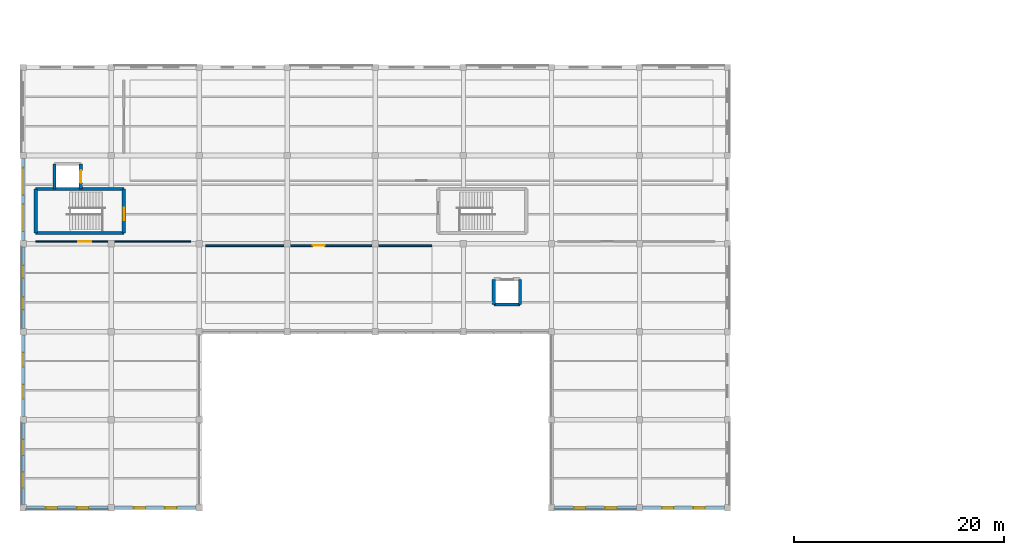
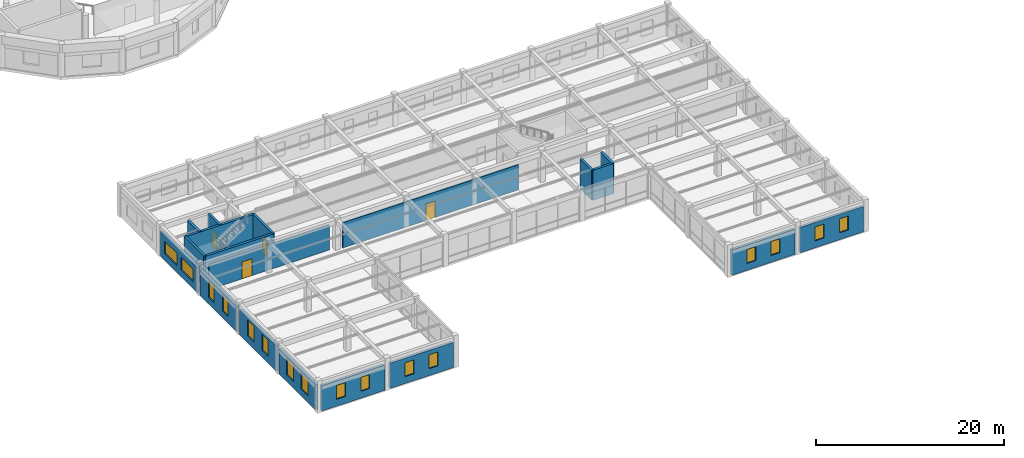
# One storey, part 88 of 114: 19 walls, 16 windows, 4 doors, 20 openings.
"""IFC4 building model written with IfcOpenShell, lengths in metres."""

from ifc_helpers import new_model, si_unit, direction, frame, frame_2d, origin, place, context, subcontext, project, spatial, rectangle, extrude, material, layer, layer_set, type_object, element, fill, save


model = new_model("IFC4")

# Units and contexts
model_context = context("Model", 3, precision=1e-05, world=origin(), true_north=direction((0.0, 1.0)))
body_context = subcontext(model_context, "Body", "Model", "MODEL_VIEW")
ifc_project = project(units=[si_unit("LENGTHUNIT", "METRE"), si_unit("AREAUNIT", "SQUARE_METRE"), si_unit("VOLUMEUNIT", "CUBIC_METRE"), si_unit("PLANEANGLEUNIT", "RADIAN"), si_unit("MASSUNIT", "GRAM", prefix="KILO"), si_unit("THERMODYNAMICTEMPERATUREUNIT", "KELVIN"), si_unit("POWERUNIT", "WATT")], contexts=[model_context])

# Site, building, storey
site_placement = place(None, origin())
site = spatial("IfcSite", under=ifc_project, at=site_placement, CompositionType="ELEMENT")
building_placement = place(site_placement, origin())
building = spatial("IfcBuilding", under=site, at=building_placement, Name="Darbajah Civic Hall", CompositionType="ELEMENT")
storey_placement = place(building_placement, frame((0.0, 0.0, 13.800048828125)))
storey = spatial("IfcBuildingStorey", under=building, at=storey_placement, Name="L03", CompositionType="ELEMENT", Elevation=13.800048828125)

# Wall
ifc_material_1 = material(Name="Concrete C45/55", Category="concrete")
ifc_layer_1 = layer(ifc_material_1, 0.300048828125, Name="Concrete C45/55")
ifc_layer_set_1 = layer_set([ifc_layer_1], Name="Concrete C45/55")
wall_type_1 = type_object("IfcWallType", Name="Core Shear Wall 300mm", PredefinedType="SHEAR", material=ifc_layer_set_1)
wall_1_placement = place(storey_placement, frame((1.199951171875, 26.199951171875, 0.0), z_axis=(0.0, 0.0, 1.0), x_axis=(1.0, 0.0, 0.0)))
element("IfcWall", 1, at=wall_1_placement, inside=storey, type_object=wall_type_1, Name="L03 core C10 shear wall S", PredefinedType="SHEAR", context=body_context, shape_type="SweptSolid", body=[
    extrude(rectangle(XDim=8.400146484375, YDim=0.300048828125, at=frame_2d((4.2001953125, 0.0))), origin(), (0.0, 0.0, 1.0), 3.919921875),
])

# Wall, opening, door
wall_2_placement = place(storey_placement, frame((9.60009765625, 26.199951171875, 0.0), z_axis=(0.0, 0.0, 1.0), x_axis=(0.0, 1.0, 0.0)))
wall_2 = element("IfcWall", 2, at=wall_2_placement, inside=storey, type_object=wall_type_1, Name="L03 core C10 shear wall E", PredefinedType="SHEAR", context=body_context, shape_type="SweptSolid", body=[
    extrude(rectangle(XDim=4.199951171875, YDim=0.300048828125, at=frame_2d((2.10009765625, 0.0))), origin(), (0.0, 0.0, 1.0), 3.919921875),
])
opening_1_placement = place(wall_2_placement, frame((1.25, 0.0, 0.0)))
opening_1 = element("IfcOpeningElement", 3, at=opening_1_placement, cuts=wall_2, Name="Opening SD-0112", PredefinedType="OPENING", context=body_context, shape_type="SweptSolid", body=[
    extrude(rectangle(XDim=1.14990234375, YDim=2.199951171875, at=frame_2d((0.574951171875, 1.10009765625))), frame((0.0, 0.159912109375, 0.0), z_axis=(0.0, -1.0, 0.0), x_axis=(1.0, 0.0, 0.0)), (0.0, 0.0, 1.0), 0.320068359375),
])
ifc_material_2 = material(Name="Steel Rated Core Door", Category="steel")
door_type_1 = type_object("IfcDoorType", Name="Interior Door 1150x2200", OperationType="NOTDEFINED", PredefinedType="DOOR", material=ifc_material_2)
door_1_placement = place(opening_1_placement, origin())
door_1 = element("IfcDoor", 4, at=door_1_placement, inside=storey, type_object=door_type_1, Name="L03 stair ST10 fire door SD-0112", OperationType="SINGLE_SWING_LEFT", OverallHeight=2.199951171875, OverallWidth=1.14990234375, PredefinedType="DOOR", context=body_context, shape_type="SweptSolid", body=[
    extrude(rectangle(XDim=1.14990234375, YDim=2.199951171875, at=frame_2d((0.574951171875, 1.10009765625))), frame((0.0, 0.02490234375, 0.0), z_axis=(0.0, -1.0, 0.0), x_axis=(1.0, 0.0, 0.0)), (0.0, 0.0, 1.0), 0.050048828125),
])
fill(opening_1, door_1)

# Walls
wall_3_placement = place(storey_placement, frame((9.60009765625, 30.39990234375, 0.0), z_axis=(0.0, 0.0, 1.0), x_axis=(-1.0, 0.0, 0.0)))
element("IfcWall", 5, at=wall_3_placement, inside=storey, type_object=wall_type_1, Name="L03 core C10 shear wall N", PredefinedType="SHEAR", context=body_context, shape_type="SweptSolid", body=[
    extrude(rectangle(XDim=8.400146484375, YDim=0.300048828125, at=frame_2d((4.2001953125, 0.0))), origin(), (0.0, 0.0, 1.0), 3.919921875),
])
wall_4_placement = place(storey_placement, frame((1.199951171875, 30.39990234375, 0.0), z_axis=(0.0, 0.0, 1.0), x_axis=(0.0, -1.0, 0.0)))
element("IfcWall", 6, at=wall_4_placement, inside=storey, type_object=wall_type_1, Name="L03 core C10 shear wall W", PredefinedType="SHEAR", context=body_context, shape_type="SweptSolid", body=[
    extrude(rectangle(XDim=4.199951171875, YDim=0.300048828125, at=frame_2d((2.10009765625, 0.0))), origin(), (0.0, 0.0, 1.0), 3.919921875),
])
wall_5_placement = place(storey_placement, frame((3.0, 32.800048828125, 0.0), z_axis=(0.0, 0.0, 1.0), x_axis=(0.0, -1.0, 0.0)))
element("IfcWall", 7, at=wall_5_placement, inside=storey, type_object=wall_type_1, Name="L03 lift PL5 shaft wall W", PredefinedType="SHEAR", context=body_context, shape_type="SweptSolid", body=[
    extrude(rectangle(XDim=2.400146484375, YDim=0.300048828125, at=frame_2d((1.2001953125, 0.0))), origin(), (0.0, 0.0, 1.0), 3.919921875),
])

# Wall, opening, door
wall_6_placement = place(storey_placement, frame((5.5, 30.39990234375, 0.0), z_axis=(0.0, 0.0, 1.0), x_axis=(0.0, 1.0, 0.0)))
wall_6 = element("IfcWall", 8, at=wall_6_placement, inside=storey, type_object=wall_type_1, Name="L03 lift PL5 shaft wall E", PredefinedType="SHEAR", context=body_context, shape_type="SweptSolid", body=[
    extrude(rectangle(XDim=2.400146484375, YDim=0.300048828125, at=frame_2d((1.2001953125, 0.0))), origin(), (0.0, 0.0, 1.0), 3.919921875),
])
opening_2_placement = place(wall_6_placement, frame((0.60009765625, 0.0, 0.0)))
opening_2 = element("IfcOpeningElement", 9, at=opening_2_placement, cuts=wall_6, Name="Opening LD-0118", PredefinedType="OPENING", context=body_context, shape_type="SweptSolid", body=[
    extrude(rectangle(XDim=1.199951171875, YDim=2.25, at=frame_2d((0.60009765625, 1.125))), frame((0.0, 0.159912109375, 0.0), z_axis=(0.0, -1.0, 0.0), x_axis=(1.0, 0.0, 0.0)), (0.0, 0.0, 1.0), 0.320068359375),
])
ifc_material_3 = material(Name="Stainless Lift Landing Door")
door_type_2 = type_object("IfcDoorType", Name="Lift Landing Door 1200x2250", OperationType="SLIDING_TO_LEFT", PredefinedType="DOOR", material=ifc_material_3)
door_2_placement = place(opening_2_placement, origin())
door_2 = element("IfcDoor", 10, at=door_2_placement, inside=storey, type_object=door_type_2, Name="L03 lift PL5 landing door LD-0118", OperationType="SLIDING_TO_LEFT", OverallHeight=2.25, OverallWidth=1.199951171875, PredefinedType="DOOR", context=body_context, shape_type="SweptSolid", body=[
    extrude(rectangle(XDim=1.199951171875, YDim=2.25, at=frame_2d((0.60009765625, 1.125))), frame((0.0, 0.02490234375, 0.0), z_axis=(0.0, -1.0, 0.0), x_axis=(1.0, 0.0, 0.0)), (0.0, 0.0, 1.0), 0.050048828125),
])
fill(opening_2, door_2)

# Walls
wall_7_placement = place(storey_placement, frame((44.89990234375, 19.39990234375, 0.0), z_axis=(0.0, 0.0, 1.0), x_axis=(1.0, 0.0, 0.0)))
element("IfcWall", 11, at=wall_7_placement, inside=storey, type_object=wall_type_1, Name="L03 lift PL6 shaft wall S", PredefinedType="SHEAR", context=body_context, shape_type="SweptSolid", body=[
    extrude(rectangle(XDim=2.5, YDim=0.300048828125, at=frame_2d((1.25, 0.0))), origin(), (0.0, 0.0, 1.0), 3.919921875),
])
for number, where, z_axis, x_axis, name in (
    (12, (44.89990234375, 21.800048828125, 0.0), (0.0, 0.0, 1.0), (0.0, -1.0, 0.0), "L03 lift PL6 shaft wall W"),
    (13, (47.39990234375, 19.39990234375, 0.0), (0.0, 0.0, 1.0), (0.0, 1.0, 0.0), "L03 lift PL6 shaft wall E"),
):
    element("IfcWall", number, at=place(storey_placement, frame(where, z_axis=z_axis, x_axis=x_axis)), inside=storey, type_object=wall_type_1, Name=name, PredefinedType="SHEAR", context=body_context, shape_type="SweptSolid", body=[
        extrude(rectangle(XDim=2.400146484375, YDim=0.300048828125, at=frame_2d((1.2001953125, 0.0))), origin(), (0.0, 0.0, 1.0), 3.919921875),
    ])

# Wall, openings, windows
ifc_material_4 = material(Name="Red Dholpur Sandstone Cladding", Category="masonry")
ifc_layer_2 = layer(ifc_material_4, 0.31005859375, Name="Red Dholpur Sandstone Cladding")
ifc_layer_set_2 = layer_set([ifc_layer_2], Name="Red Dholpur Sandstone Cladding")
wall_type_2 = type_object("IfcWallType", Name="Exterior Wall 310mm", PredefinedType="SOLIDWALL", material=ifc_layer_set_2)
wall_8_placement = place(storey_placement, frame((0.302001953125, 0.0, 0.0), z_axis=(0.0, 0.0, 1.0), x_axis=(1.0, 0.0, 0.0)))
wall_8 = element("IfcWall", 14, at=wall_8_placement, inside=storey, type_object=wall_type_2, Name="L03 exterior wall EW-310", PredefinedType="SOLIDWALL", context=body_context, shape_type="SweptSolid", body=[
    extrude(rectangle(XDim=7.7958984375, YDim=0.31005859375, at=frame_2d((3.89794921875, 0.0))), origin(), (0.0, 0.0, 1.0), 3.2900390625),
])
opening_3_placement = place(wall_8_placement, frame((1.865234375, 0.0, 0.89990234375)))
opening_3 = element("IfcOpeningElement", 15, at=opening_3_placement, cuts=wall_8, Name="Opening WN-17", PredefinedType="OPENING", context=body_context, shape_type="SweptSolid", body=[
    extrude(rectangle(XDim=1.10009765625, YDim=1.800048828125, at=frame_2d((0.550048828125, 0.89990234375))), frame((0.0, 0.1650390625, 0.0), z_axis=(0.0, -1.0, 0.0), x_axis=(1.0, 0.0, 0.0)), (0.0, 0.0, 1.0), 0.330078125),
])
opening_4_placement = place(wall_8_placement, frame((4.830810546875, 0.0, 0.89990234375)))
opening_4 = element("IfcOpeningElement", 16, at=opening_4_placement, cuts=wall_8, Name="Opening WN-17", PredefinedType="OPENING", context=body_context, shape_type="SweptSolid", body=[
    extrude(rectangle(XDim=1.10009765625, YDim=1.800048828125, at=frame_2d((0.550048828125, 0.89990234375))), frame((0.0, 0.1650390625, 0.0), z_axis=(0.0, -1.0, 0.0), x_axis=(1.0, 0.0, 0.0)), (0.0, 0.0, 1.0), 0.330078125),
])
ifc_material_5 = material(Name="Low-E Solar Control Double Glazing", Category="glass")
window_type_1 = type_object("IfcWindowType", Name="Facade Window 1100x1800", PartitioningType="SINGLE_PANEL", PredefinedType="WINDOW", material=ifc_material_5)
window_1_placement = place(opening_3_placement, origin())
window_1 = element("IfcWindow", 17, at=window_1_placement, inside=storey, type_object=window_type_1, Name="L03 facade window WN-17", OverallHeight=1.800048828125, OverallWidth=1.10009765625, PartitioningType="SINGLE_PANEL", PredefinedType="WINDOW", context=body_context, shape_type="SweptSolid", body=[
    extrude(rectangle(XDim=1.10009765625, YDim=1.800048828125, at=frame_2d((0.550048828125, 0.89990234375))), frame((0.0, 0.030029296875, 0.0), z_axis=(0.0, -1.0, 0.0), x_axis=(1.0, 0.0, 0.0)), (0.0, 0.0, 1.0), 0.06005859375),
])
fill(opening_3, window_1)
window_2_placement = place(opening_4_placement, origin())
window_2 = element("IfcWindow", 18, at=window_2_placement, inside=storey, type_object=window_type_1, Name="L03 facade window WN-17", OverallHeight=1.800048828125, OverallWidth=1.10009765625, PartitioningType="SINGLE_PANEL", PredefinedType="WINDOW", context=body_context, shape_type="SweptSolid", body=[
    extrude(rectangle(XDim=1.10009765625, YDim=1.800048828125, at=frame_2d((0.550048828125, 0.89990234375))), frame((0.0, 0.030029296875, 0.0), z_axis=(0.0, -1.0, 0.0), x_axis=(1.0, 0.0, 0.0)), (0.0, 0.0, 1.0), 0.06005859375),
])
fill(opening_4, window_2)

wall_9_placement = place(storey_placement, frame((8.701904296875, 0.0, 0.0), z_axis=(0.0, 0.0, 1.0), x_axis=(1.0, 0.0, 0.0)))
wall_9 = element("IfcWall", 19, at=wall_9_placement, inside=storey, type_object=wall_type_2, Name="L03 exterior wall EW-310", PredefinedType="SOLIDWALL", context=body_context, shape_type="SweptSolid", body=[
    extrude(rectangle(XDim=7.796142578125, YDim=0.31005859375, at=frame_2d((3.89794921875, 0.0))), origin(), (0.0, 0.0, 1.0), 3.2900390625),
])
opening_5_placement = place(wall_9_placement, frame((1.865234375, 0.0, 0.89990234375)))
opening_5 = element("IfcOpeningElement", 20, at=opening_5_placement, cuts=wall_9, Name="Opening WN-17", PredefinedType="OPENING", context=body_context, shape_type="SweptSolid", body=[
    extrude(rectangle(XDim=1.10009765625, YDim=1.800048828125, at=frame_2d((0.550048828125, 0.89990234375))), frame((0.0, 0.1650390625, 0.0), z_axis=(0.0, -1.0, 0.0), x_axis=(1.0, 0.0, 0.0)), (0.0, 0.0, 1.0), 0.330078125),
])
opening_6_placement = place(wall_9_placement, frame((4.830810546875, 0.0, 0.89990234375)))
opening_6 = element("IfcOpeningElement", 21, at=opening_6_placement, cuts=wall_9, Name="Opening WN-17", PredefinedType="OPENING", context=body_context, shape_type="SweptSolid", body=[
    extrude(rectangle(XDim=1.10009765625, YDim=1.800048828125, at=frame_2d((0.550048828125, 0.89990234375))), frame((0.0, 0.1650390625, 0.0), z_axis=(0.0, -1.0, 0.0), x_axis=(1.0, 0.0, 0.0)), (0.0, 0.0, 1.0), 0.330078125),
])
window_3_placement = place(opening_5_placement, origin())
window_3 = element("IfcWindow", 22, at=window_3_placement, inside=storey, type_object=window_type_1, Name="L03 facade window WN-17", OverallHeight=1.800048828125, OverallWidth=1.10009765625, PartitioningType="SINGLE_PANEL", PredefinedType="WINDOW", context=body_context, shape_type="SweptSolid", body=[
    extrude(rectangle(XDim=1.10009765625, YDim=1.800048828125, at=frame_2d((0.550048828125, 0.89990234375))), frame((0.0, 0.030029296875, 0.0), z_axis=(0.0, -1.0, 0.0), x_axis=(1.0, 0.0, 0.0)), (0.0, 0.0, 1.0), 0.06005859375),
])
fill(opening_5, window_3)
window_4_placement = place(opening_6_placement, origin())
window_4 = element("IfcWindow", 23, at=window_4_placement, inside=storey, type_object=window_type_1, Name="L03 facade window WN-17", OverallHeight=1.800048828125, OverallWidth=1.10009765625, PartitioningType="SINGLE_PANEL", PredefinedType="WINDOW", context=body_context, shape_type="SweptSolid", body=[
    extrude(rectangle(XDim=1.10009765625, YDim=1.800048828125, at=frame_2d((0.550048828125, 0.89990234375))), frame((0.0, 0.030029296875, 0.0), z_axis=(0.0, -1.0, 0.0), x_axis=(1.0, 0.0, 0.0)), (0.0, 0.0, 1.0), 0.06005859375),
])
fill(opening_6, window_4)

wall_10_placement = place(storey_placement, frame((50.701904296875, 0.0, 0.0), z_axis=(0.0, 0.0, 1.0), x_axis=(1.0, 0.0, 0.0)))
wall_10 = element("IfcWall", 24, at=wall_10_placement, inside=storey, type_object=wall_type_2, Name="L03 exterior wall EW-310", PredefinedType="SOLIDWALL", context=body_context, shape_type="SweptSolid", body=[
    extrude(rectangle(XDim=7.796142578125, YDim=0.31005859375, at=frame_2d((3.89794921875, 0.0))), origin(), (0.0, 0.0, 1.0), 3.2900390625),
])
opening_7_placement = place(wall_10_placement, frame((1.865234375, 0.0, 0.89990234375)))
opening_7 = element("IfcOpeningElement", 25, at=opening_7_placement, cuts=wall_10, Name="Opening WN-17", PredefinedType="OPENING", context=body_context, shape_type="SweptSolid", body=[
    extrude(rectangle(XDim=1.10009765625, YDim=1.800048828125, at=frame_2d((0.550048828125, 0.89990234375))), frame((0.0, 0.1650390625, 0.0), z_axis=(0.0, -1.0, 0.0), x_axis=(1.0, 0.0, 0.0)), (0.0, 0.0, 1.0), 0.330078125),
])
opening_8_placement = place(wall_10_placement, frame((4.830810546875, 0.0, 0.89990234375)))
opening_8 = element("IfcOpeningElement", 26, at=opening_8_placement, cuts=wall_10, Name="Opening WN-17", PredefinedType="OPENING", context=body_context, shape_type="SweptSolid", body=[
    extrude(rectangle(XDim=1.10009765625, YDim=1.800048828125, at=frame_2d((0.550048828125, 0.89990234375))), frame((0.0, 0.1650390625, 0.0), z_axis=(0.0, -1.0, 0.0), x_axis=(1.0, 0.0, 0.0)), (0.0, 0.0, 1.0), 0.330078125),
])
window_5_placement = place(opening_7_placement, origin())
window_5 = element("IfcWindow", 27, at=window_5_placement, inside=storey, type_object=window_type_1, Name="L03 facade window WN-17", OverallHeight=1.800048828125, OverallWidth=1.10009765625, PartitioningType="SINGLE_PANEL", PredefinedType="WINDOW", context=body_context, shape_type="SweptSolid", body=[
    extrude(rectangle(XDim=1.10009765625, YDim=1.800048828125, at=frame_2d((0.550048828125, 0.89990234375))), frame((0.0, 0.030029296875, 0.0), z_axis=(0.0, -1.0, 0.0), x_axis=(1.0, 0.0, 0.0)), (0.0, 0.0, 1.0), 0.06005859375),
])
fill(opening_7, window_5)
window_6_placement = place(opening_8_placement, origin())
window_6 = element("IfcWindow", 28, at=window_6_placement, inside=storey, type_object=window_type_1, Name="L03 facade window WN-17", OverallHeight=1.800048828125, OverallWidth=1.10009765625, PartitioningType="SINGLE_PANEL", PredefinedType="WINDOW", context=body_context, shape_type="SweptSolid", body=[
    extrude(rectangle(XDim=1.10009765625, YDim=1.800048828125, at=frame_2d((0.550048828125, 0.89990234375))), frame((0.0, 0.030029296875, 0.0), z_axis=(0.0, -1.0, 0.0), x_axis=(1.0, 0.0, 0.0)), (0.0, 0.0, 1.0), 0.06005859375),
])
fill(opening_8, window_6)

wall_11_placement = place(storey_placement, frame((59.10205078125, 0.0, 0.0), z_axis=(0.0, 0.0, 1.0), x_axis=(1.0, 0.0, 0.0)))
wall_11 = element("IfcWall", 29, at=wall_11_placement, inside=storey, type_object=wall_type_2, Name="L03 exterior wall EW-310", PredefinedType="SOLIDWALL", context=body_context, shape_type="SweptSolid", body=[
    extrude(rectangle(XDim=7.7958984375, YDim=0.31005859375, at=frame_2d((3.89794921875, 0.0))), origin(), (0.0, 0.0, 1.0), 3.2900390625),
])
opening_9_placement = place(wall_11_placement, frame((1.865234375, 0.0, 0.89990234375)))
opening_9 = element("IfcOpeningElement", 30, at=opening_9_placement, cuts=wall_11, Name="Opening WN-17", PredefinedType="OPENING", context=body_context, shape_type="SweptSolid", body=[
    extrude(rectangle(XDim=1.10009765625, YDim=1.800048828125, at=frame_2d((0.550048828125, 0.89990234375))), frame((0.0, 0.1650390625, 0.0), z_axis=(0.0, -1.0, 0.0), x_axis=(1.0, 0.0, 0.0)), (0.0, 0.0, 1.0), 0.330078125),
])
opening_10_placement = place(wall_11_placement, frame((4.830810546875, 0.0, 0.89990234375)))
opening_10 = element("IfcOpeningElement", 31, at=opening_10_placement, cuts=wall_11, Name="Opening WN-17", PredefinedType="OPENING", context=body_context, shape_type="SweptSolid", body=[
    extrude(rectangle(XDim=1.10009765625, YDim=1.800048828125, at=frame_2d((0.550048828125, 0.89990234375))), frame((0.0, 0.1650390625, 0.0), z_axis=(0.0, -1.0, 0.0), x_axis=(1.0, 0.0, 0.0)), (0.0, 0.0, 1.0), 0.330078125),
])
window_7_placement = place(opening_9_placement, origin())
window_7 = element("IfcWindow", 32, at=window_7_placement, inside=storey, type_object=window_type_1, Name="L03 facade window WN-17", OverallHeight=1.800048828125, OverallWidth=1.10009765625, PartitioningType="SINGLE_PANEL", PredefinedType="WINDOW", context=body_context, shape_type="SweptSolid", body=[
    extrude(rectangle(XDim=1.10009765625, YDim=1.800048828125, at=frame_2d((0.550048828125, 0.89990234375))), frame((0.0, 0.030029296875, 0.0), z_axis=(0.0, -1.0, 0.0), x_axis=(1.0, 0.0, 0.0)), (0.0, 0.0, 1.0), 0.06005859375),
])
fill(opening_9, window_7)
window_8_placement = place(opening_10_placement, origin())
window_8 = element("IfcWindow", 33, at=window_8_placement, inside=storey, type_object=window_type_1, Name="L03 facade window WN-17", OverallHeight=1.800048828125, OverallWidth=1.10009765625, PartitioningType="SINGLE_PANEL", PredefinedType="WINDOW", context=body_context, shape_type="SweptSolid", body=[
    extrude(rectangle(XDim=1.10009765625, YDim=1.800048828125, at=frame_2d((0.550048828125, 0.89990234375))), frame((0.0, 0.030029296875, 0.0), z_axis=(0.0, -1.0, 0.0), x_axis=(1.0, 0.0, 0.0)), (0.0, 0.0, 1.0), 0.06005859375),
])
fill(opening_10, window_8)

wall_12_placement = place(storey_placement, frame((0.0, 33.298095703125, 0.0), z_axis=(0.0, 0.0, 1.0), x_axis=(0.0, -1.0, 0.0)))
wall_12 = element("IfcWall", 34, at=wall_12_placement, inside=storey, type_object=wall_type_2, Name="L03 exterior wall EW-310", PredefinedType="SOLIDWALL", context=body_context, shape_type="SweptSolid", body=[
    extrude(rectangle(XDim=7.796142578125, YDim=0.31005859375, at=frame_2d((3.89794921875, 0.0))), origin(), (0.0, 0.0, 1.0), 3.2900390625),
])
opening_11_placement = place(wall_12_placement, frame((0.865234375, 0.0, 0.89990234375)))
opening_11 = element("IfcOpeningElement", 35, at=opening_11_placement, cuts=wall_12, Name="Opening WN-28", PredefinedType="OPENING", context=body_context, shape_type="SweptSolid", body=[
    extrude(rectangle(XDim=2.60009765625, YDim=1.60009765625, at=frame_2d((1.300048828125, 0.800048828125))), frame((0.0, 0.1650390625, 0.0), z_axis=(0.0, -1.0, 0.0), x_axis=(1.0, 0.0, 0.0)), (0.0, 0.0, 1.0), 0.330078125),
])
opening_12_placement = place(wall_12_placement, frame((4.330810546875, 0.0, 0.89990234375)))
opening_12 = element("IfcOpeningElement", 36, at=opening_12_placement, cuts=wall_12, Name="Opening WN-28", PredefinedType="OPENING", context=body_context, shape_type="SweptSolid", body=[
    extrude(rectangle(XDim=2.60009765625, YDim=1.60009765625, at=frame_2d((1.300048828125, 0.800048828125))), frame((0.0, 0.1650390625, 0.0), z_axis=(0.0, -1.0, 0.0), x_axis=(1.0, 0.0, 0.0)), (0.0, 0.0, 1.0), 0.330078125),
])
window_type_2 = type_object("IfcWindowType", Name="Facade Window 2600x1600", PartitioningType="DOUBLE_PANEL_VERTICAL", PredefinedType="WINDOW", material=ifc_material_5)
window_9_placement = place(opening_11_placement, origin())
window_9 = element("IfcWindow", 37, at=window_9_placement, inside=storey, type_object=window_type_2, Name="L03 facade window WN-28", OverallHeight=1.60009765625, OverallWidth=2.60009765625, PartitioningType="SINGLE_PANEL", PredefinedType="WINDOW", context=body_context, shape_type="SweptSolid", body=[
    extrude(rectangle(XDim=2.60009765625, YDim=1.60009765625, at=frame_2d((1.300048828125, 0.800048828125))), frame((0.0, 0.030029296875, 0.0), z_axis=(0.0, -1.0, 0.0), x_axis=(1.0, 0.0, 0.0)), (0.0, 0.0, 1.0), 0.06005859375),
])
fill(opening_11, window_9)
window_10_placement = place(opening_12_placement, origin())
window_10 = element("IfcWindow", 38, at=window_10_placement, inside=storey, type_object=window_type_2, Name="L03 facade window WN-28", OverallHeight=1.60009765625, OverallWidth=2.60009765625, PartitioningType="SINGLE_PANEL", PredefinedType="WINDOW", context=body_context, shape_type="SweptSolid", body=[
    extrude(rectangle(XDim=2.60009765625, YDim=1.60009765625, at=frame_2d((1.300048828125, 0.800048828125))), frame((0.0, 0.030029296875, 0.0), z_axis=(0.0, -1.0, 0.0), x_axis=(1.0, 0.0, 0.0)), (0.0, 0.0, 1.0), 0.06005859375),
])
fill(opening_12, window_10)

wall_13_placement = place(storey_placement, frame((0.0, 24.89794921875, 0.0), z_axis=(0.0, 0.0, 1.0), x_axis=(0.0, -1.0, 0.0)))
wall_13 = element("IfcWall", 39, at=wall_13_placement, inside=storey, type_object=wall_type_2, Name="L03 exterior wall EW-310", PredefinedType="SOLIDWALL", context=body_context, shape_type="SweptSolid", body=[
    extrude(rectangle(XDim=7.7958984375, YDim=0.31005859375, at=frame_2d((3.89794921875, 0.0))), origin(), (0.0, 0.0, 1.0), 3.2900390625),
])
opening_13_placement = place(wall_13_placement, frame((1.798583984375, 0.0, 0.89990234375)))
opening_13 = element("IfcOpeningElement", 40, at=opening_13_placement, cuts=wall_13, Name="Opening WN-01", PredefinedType="OPENING", context=body_context, shape_type="SweptSolid", body=[
    extrude(rectangle(XDim=1.199951171875, YDim=2.10009765625, at=frame_2d((0.60009765625, 1.050048828125))), frame((0.0, 0.1650390625, 0.0), z_axis=(0.0, -1.0, 0.0), x_axis=(1.0, 0.0, 0.0)), (0.0, 0.0, 1.0), 0.330078125),
])
opening_14_placement = place(wall_13_placement, frame((4.79736328125, 0.0, 0.89990234375)))
opening_14 = element("IfcOpeningElement", 41, at=opening_14_placement, cuts=wall_13, Name="Opening WN-01", PredefinedType="OPENING", context=body_context, shape_type="SweptSolid", body=[
    extrude(rectangle(XDim=1.199951171875, YDim=2.10009765625, at=frame_2d((0.60009765625, 1.050048828125))), frame((0.0, 0.1650390625, 0.0), z_axis=(0.0, -1.0, 0.0), x_axis=(1.0, 0.0, 0.0)), (0.0, 0.0, 1.0), 0.330078125),
])
window_type_3 = type_object("IfcWindowType", Name="Facade Window 1200x2100", PartitioningType="SINGLE_PANEL", PredefinedType="WINDOW", material=ifc_material_5)
window_11_placement = place(opening_13_placement, origin())
window_11 = element("IfcWindow", 42, at=window_11_placement, inside=storey, type_object=window_type_3, Name="L03 facade window WN-01", OverallHeight=2.10009765625, OverallWidth=1.199951171875, PartitioningType="SINGLE_PANEL", PredefinedType="WINDOW", context=body_context, shape_type="SweptSolid", body=[
    extrude(rectangle(XDim=1.199951171875, YDim=2.10009765625, at=frame_2d((0.60009765625, 1.050048828125))), frame((0.0, 0.030029296875, 0.0), z_axis=(0.0, -1.0, 0.0), x_axis=(1.0, 0.0, 0.0)), (0.0, 0.0, 1.0), 0.06005859375),
])
fill(opening_13, window_11)
window_12_placement = place(opening_14_placement, origin())
window_12 = element("IfcWindow", 43, at=window_12_placement, inside=storey, type_object=window_type_3, Name="L03 facade window WN-01", OverallHeight=2.10009765625, OverallWidth=1.199951171875, PartitioningType="SINGLE_PANEL", PredefinedType="WINDOW", context=body_context, shape_type="SweptSolid", body=[
    extrude(rectangle(XDim=1.199951171875, YDim=2.10009765625, at=frame_2d((0.60009765625, 1.050048828125))), frame((0.0, 0.030029296875, 0.0), z_axis=(0.0, -1.0, 0.0), x_axis=(1.0, 0.0, 0.0)), (0.0, 0.0, 1.0), 0.06005859375),
])
fill(opening_14, window_12)

wall_14_placement = place(storey_placement, frame((0.0, 16.498046875, 0.0), z_axis=(0.0, 0.0, 1.0), x_axis=(0.0, -1.0, 0.0)))
wall_14 = element("IfcWall", 44, at=wall_14_placement, inside=storey, type_object=wall_type_2, Name="L03 exterior wall EW-310", PredefinedType="SOLIDWALL", context=body_context, shape_type="SweptSolid", body=[
    extrude(rectangle(XDim=7.796142578125, YDim=0.31005859375, at=frame_2d((3.89794921875, 0.0))), origin(), (0.0, 0.0, 1.0), 3.2900390625),
])
opening_15_placement = place(wall_14_placement, frame((1.69873046875, 0.0, 0.89990234375)))
opening_15 = element("IfcOpeningElement", 45, at=opening_15_placement, cuts=wall_14, Name="Opening WN-02", PredefinedType="OPENING", context=body_context, shape_type="SweptSolid", body=[
    extrude(rectangle(XDim=1.35009765625, YDim=2.10009765625, at=frame_2d((0.675048828125, 1.050048828125))), frame((0.0, 0.1650390625, 0.0), z_axis=(0.0, -1.0, 0.0), x_axis=(1.0, 0.0, 0.0)), (0.0, 0.0, 1.0), 0.330078125),
])
opening_16_placement = place(wall_14_placement, frame((4.747314453125, 0.0, 0.89990234375)))
opening_16 = element("IfcOpeningElement", 46, at=opening_16_placement, cuts=wall_14, Name="Opening WN-02", PredefinedType="OPENING", context=body_context, shape_type="SweptSolid", body=[
    extrude(rectangle(XDim=1.35009765625, YDim=2.10009765625, at=frame_2d((0.675048828125, 1.050048828125))), frame((0.0, 0.1650390625, 0.0), z_axis=(0.0, -1.0, 0.0), x_axis=(1.0, 0.0, 0.0)), (0.0, 0.0, 1.0), 0.330078125),
])
window_type_4 = type_object("IfcWindowType", Name="Facade Window 1350x2100", PartitioningType="SINGLE_PANEL", PredefinedType="WINDOW", material=ifc_material_5)
window_13_placement = place(opening_15_placement, origin())
window_13 = element("IfcWindow", 47, at=window_13_placement, inside=storey, type_object=window_type_4, Name="L03 facade window WN-02", OverallHeight=2.10009765625, OverallWidth=1.35009765625, PartitioningType="SINGLE_PANEL", PredefinedType="WINDOW", context=body_context, shape_type="SweptSolid", body=[
    extrude(rectangle(XDim=1.35009765625, YDim=2.10009765625, at=frame_2d((0.675048828125, 1.050048828125))), frame((0.0, 0.030029296875, 0.0), z_axis=(0.0, -1.0, 0.0), x_axis=(1.0, 0.0, 0.0)), (0.0, 0.0, 1.0), 0.06005859375),
])
fill(opening_15, window_13)
window_14_placement = place(opening_16_placement, origin())
window_14 = element("IfcWindow", 48, at=window_14_placement, inside=storey, type_object=window_type_4, Name="L03 facade window WN-02", OverallHeight=2.10009765625, OverallWidth=1.35009765625, PartitioningType="SINGLE_PANEL", PredefinedType="WINDOW", context=body_context, shape_type="SweptSolid", body=[
    extrude(rectangle(XDim=1.35009765625, YDim=2.10009765625, at=frame_2d((0.675048828125, 1.050048828125))), frame((0.0, 0.030029296875, 0.0), z_axis=(0.0, -1.0, 0.0), x_axis=(1.0, 0.0, 0.0)), (0.0, 0.0, 1.0), 0.06005859375),
])
fill(opening_16, window_14)

wall_15_placement = place(storey_placement, frame((0.0, 8.097900390625, 0.0), z_axis=(0.0, 0.0, 1.0), x_axis=(0.0, -1.0, 0.0)))
wall_15 = element("IfcWall", 49, at=wall_15_placement, inside=storey, type_object=wall_type_2, Name="L03 exterior wall EW-310", PredefinedType="SOLIDWALL", context=body_context, shape_type="SweptSolid", body=[
    extrude(rectangle(XDim=7.7958984375, YDim=0.31005859375, at=frame_2d((3.89794921875, 0.0))), origin(), (0.0, 0.0, 1.0), 3.2900390625),
])
opening_17_placement = place(wall_15_placement, frame((1.5986328125, 0.0, 0.89990234375)))
opening_17 = element("IfcOpeningElement", 50, at=opening_17_placement, cuts=wall_15, Name="Opening WN-03", PredefinedType="OPENING", context=body_context, shape_type="SweptSolid", body=[
    extrude(rectangle(XDim=1.5, YDim=2.10009765625, at=frame_2d((0.75, 1.050048828125))), frame((0.0, 0.1650390625, 0.0), z_axis=(0.0, -1.0, 0.0), x_axis=(1.0, 0.0, 0.0)), (0.0, 0.0, 1.0), 0.330078125),
])
opening_18_placement = place(wall_15_placement, frame((4.697265625, 0.0, 0.89990234375)))
opening_18 = element("IfcOpeningElement", 51, at=opening_18_placement, cuts=wall_15, Name="Opening WN-03", PredefinedType="OPENING", context=body_context, shape_type="SweptSolid", body=[
    extrude(rectangle(XDim=1.5, YDim=2.10009765625, at=frame_2d((0.75, 1.050048828125))), frame((0.0, 0.1650390625, 0.0), z_axis=(0.0, -1.0, 0.0), x_axis=(1.0, 0.0, 0.0)), (0.0, 0.0, 1.0), 0.330078125),
])
window_type_5 = type_object("IfcWindowType", Name="Facade Window 1500x2100", PartitioningType="SINGLE_PANEL", PredefinedType="WINDOW", material=ifc_material_5)
window_15_placement = place(opening_17_placement, origin())
window_15 = element("IfcWindow", 52, at=window_15_placement, inside=storey, type_object=window_type_5, Name="L03 facade window WN-03", OverallHeight=2.10009765625, OverallWidth=1.5, PartitioningType="SINGLE_PANEL", PredefinedType="WINDOW", context=body_context, shape_type="SweptSolid", body=[
    extrude(rectangle(XDim=1.5, YDim=2.10009765625, at=frame_2d((0.75, 1.050048828125))), frame((0.0, 0.030029296875, 0.0), z_axis=(0.0, -1.0, 0.0), x_axis=(1.0, 0.0, 0.0)), (0.0, 0.0, 1.0), 0.06005859375),
])
fill(opening_17, window_15)
window_16_placement = place(opening_18_placement, origin())
window_16 = element("IfcWindow", 53, at=window_16_placement, inside=storey, type_object=window_type_5, Name="L03 facade window WN-03", OverallHeight=2.10009765625, OverallWidth=1.5, PartitioningType="SINGLE_PANEL", PredefinedType="WINDOW", context=body_context, shape_type="SweptSolid", body=[
    extrude(rectangle(XDim=1.5, YDim=2.10009765625, at=frame_2d((0.75, 1.050048828125))), frame((0.0, 0.030029296875, 0.0), z_axis=(0.0, -1.0, 0.0), x_axis=(1.0, 0.0, 0.0)), (0.0, 0.0, 1.0), 0.06005859375),
])
fill(opening_18, window_16)

# Wall, opening, door
ifc_material_6 = material(Name="Acoustic Gypsum Partition")
ifc_layer_3 = layer(ifc_material_6, 0.114990234375, Name="Acoustic Gypsum Partition")
ifc_layer_set_3 = layer_set([ifc_layer_3], Name="Acoustic Gypsum Partition")
wall_type_3 = type_object("IfcWallType", Name="Interior Partition 115mm", PredefinedType="PARTITIONING", material=ifc_layer_set_3)
wall_16_placement = place(storey_placement, frame((1.199951171875, 25.39990234375, 0.0), z_axis=(0.0, 0.0, 1.0), x_axis=(1.0, 0.0, 0.0)))
wall_16 = element("IfcWall", 54, at=wall_16_placement, inside=storey, type_object=wall_type_3, Name="L03 interior partition L03-V5-01", PredefinedType="PARTITIONING", context=body_context, shape_type="SweptSolid", body=[
    extrude(rectangle(XDim=14.800048828125, YDim=0.114990234375, at=frame_2d((7.39990234375, 0.0))), origin(), (0.0, 0.0, 1.0), 3.2900390625),
])
opening_19_placement = place(wall_16_placement, frame((4.080078125, 0.0, 0.0)))
opening_19 = element("IfcOpeningElement", 55, at=opening_19_placement, cuts=wall_16, Name="Opening D-0238", PredefinedType="OPENING", context=body_context, shape_type="SweptSolid", body=[
    extrude(rectangle(XDim=1.199951171875, YDim=2.199951171875, at=frame_2d((0.60009765625, 1.10009765625))), frame((0.0, 0.0673828125, 0.0), z_axis=(0.0, -1.0, 0.0), x_axis=(1.0, 0.0, 0.0)), (0.0, 0.0, 1.0), 0.135009765625),
])
ifc_material_7 = material(Name="Painted Hardwood Fire Door", Category="wood")
door_type_3 = type_object("IfcDoorType", Name="Interior Door 1200x2200", OperationType="NOTDEFINED", PredefinedType="DOOR", material=ifc_material_7)
door_3_placement = place(opening_19_placement, origin())
door_3 = element("IfcDoor", 56, at=door_3_placement, inside=storey, type_object=door_type_3, Name="L03 L03-V5-01 door D-0238", OperationType="SINGLE_SWING_LEFT", OverallHeight=2.199951171875, OverallWidth=1.199951171875, PredefinedType="DOOR", context=body_context, shape_type="SweptSolid", body=[
    extrude(rectangle(XDim=1.199951171875, YDim=2.199951171875, at=frame_2d((0.60009765625, 1.10009765625))), frame((0.0, 0.02490234375, 0.0), z_axis=(0.0, -1.0, 0.0), x_axis=(1.0, 0.0, 0.0)), (0.0, 0.0, 1.0), 0.050048828125),
])
fill(opening_19, door_3)

ifc_material_8 = material(Name="Gypsum Plasterboard on Steel Stud", Category="steel")
ifc_layer_4 = layer(ifc_material_8, 0.159912109375, Name="Gypsum Plasterboard on Steel Stud")
ifc_layer_set_4 = layer_set([ifc_layer_4], Name="Gypsum Plasterboard on Steel Stud")
wall_type_4 = type_object("IfcWallType", Name="Interior Partition 160mm", PredefinedType="PARTITIONING", material=ifc_layer_set_4)
wall_17_placement = place(storey_placement, frame((17.39990234375, 25.0, 0.0), z_axis=(0.0, 0.0, 1.0), x_axis=(1.0, 0.0, 0.0)))
wall_17 = element("IfcWall", 57, at=wall_17_placement, inside=storey, type_object=wall_type_4, Name="L03 interior partition L03-V5-02", PredefinedType="PARTITIONING", context=body_context, shape_type="SweptSolid", body=[
    extrude(rectangle(XDim=21.60009765625, YDim=0.159912109375, at=frame_2d((10.800048828125, 0.0))), origin(), (0.0, 0.0, 1.0), 3.2900390625),
])
opening_20_placement = place(wall_17_placement, frame((10.25, 0.0, 0.0)))
opening_20 = element("IfcOpeningElement", 58, at=opening_20_placement, cuts=wall_17, Name="Opening D-0239", PredefinedType="OPENING", context=body_context, shape_type="SweptSolid", body=[
    extrude(rectangle(XDim=1.10009765625, YDim=2.14990234375, at=frame_2d((0.550048828125, 1.074951171875))), frame((0.0, 0.08984375, 0.0), z_axis=(0.0, -1.0, 0.0), x_axis=(1.0, 0.0, 0.0)), (0.0, 0.0, 1.0), 0.179931640625),
])
ifc_material_9 = material(Name="Acoustic Oak Office Door")
door_type_4 = type_object("IfcDoorType", Name="Interior Door 1100x2150", OperationType="NOTDEFINED", PredefinedType="DOOR", material=ifc_material_9)
door_4_placement = place(opening_20_placement, origin())
door_4 = element("IfcDoor", 59, at=door_4_placement, inside=storey, type_object=door_type_4, Name="L03 L03-V5-02 door D-0239", OperationType="SINGLE_SWING_RIGHT", OverallHeight=2.14990234375, OverallWidth=1.10009765625, PredefinedType="DOOR", context=body_context, shape_type="SweptSolid", body=[
    extrude(rectangle(XDim=1.10009765625, YDim=2.14990234375, at=frame_2d((0.550048828125, 1.074951171875))), frame((0.0, 0.02490234375, 0.0), z_axis=(0.0, -1.0, 0.0), x_axis=(1.0, 0.0, 0.0)), (0.0, 0.0, 1.0), 0.050048828125),
])
fill(opening_20, door_4)

save(model, "model.ifc")
